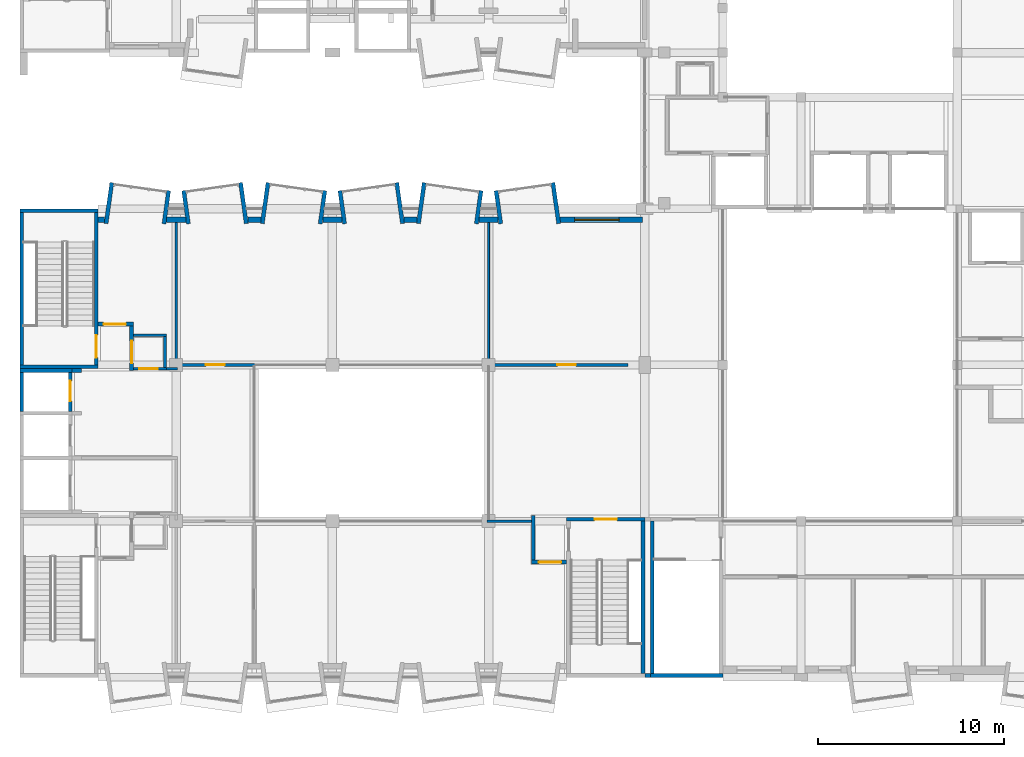
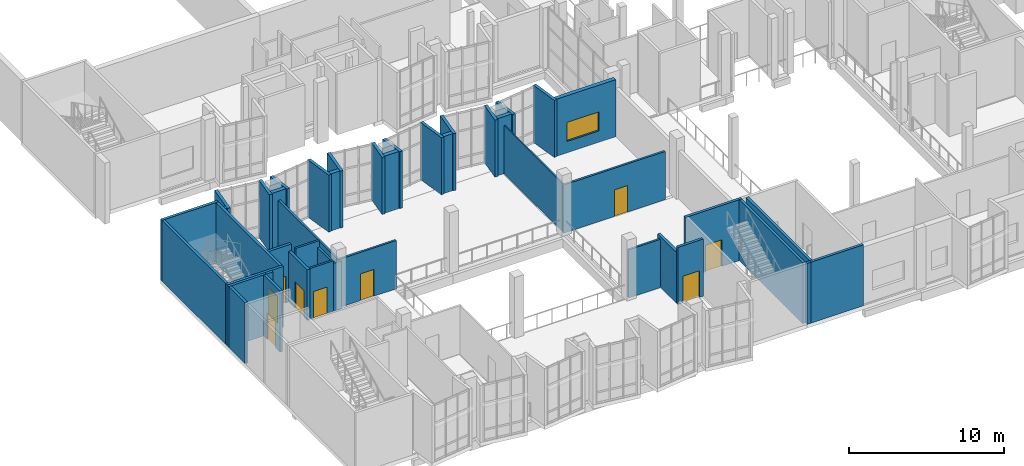
# One storey, part 65 of 100: 45 walls, 9 doors, 1 window, 10 openings.
"""IFC4 building model written with IfcOpenShell, lengths in metres."""

from ifc_helpers import new_model, si_unit, direction, frame, frame_2d, origin, place, context, subcontext, project, spatial, rectangle, extrude, material, layer, layer_set, type_object, element, fill, save


model = new_model("IFC4")

# Units and contexts
model_context = context("Model", 3, precision=1e-05, world=origin(), true_north=direction((0.0, 1.0)))
body_context = subcontext(model_context, "Body", "Model", "MODEL_VIEW")
ifc_project = project(units=[si_unit("LENGTHUNIT", "METRE"), si_unit("AREAUNIT", "SQUARE_METRE"), si_unit("VOLUMEUNIT", "CUBIC_METRE"), si_unit("PLANEANGLEUNIT", "RADIAN"), si_unit("MASSUNIT", "GRAM", prefix="KILO")], contexts=[model_context])

# Site, building, storey
site_placement = place(None, origin())
site = spatial("IfcSite", under=ifc_project, at=site_placement, CompositionType="ELEMENT")
building_placement = place(site_placement, origin())
building = spatial("IfcBuilding", under=site, at=building_placement, Name="Kiln Court Media Centre", CompositionType="ELEMENT")
storey_placement = place(building_placement, frame((0.0, 0.0, 15.0)))
storey = spatial("IfcBuildingStorey", under=building, at=storey_placement, Name="L03", CompositionType="ELEMENT", Elevation=15.0)

# Walls
ifc_material_1 = material(Name="Concrete block masonry M10", Category="masonry")
ifc_layer_1 = layer(ifc_material_1, 0.14990234375)
ifc_layer_set_1 = layer_set([ifc_layer_1], Name="Block riser wall 150 EI 120")
wall_type_1 = type_object("IfcWallType", Name="Block riser wall 150 EI 120", PredefinedType="SOLIDWALL", material=ifc_layer_set_1)
wall_1_placement = place(storey_placement, frame((7.875, 16.60009765625, 0.0), z_axis=(0.0, 0.0, 1.0), x_axis=(1.0, 0.0, 0.0)))
element("IfcWall", 1, at=wall_1_placement, inside=storey, type_object=wall_type_1, Name="L03 block riser wall", PredefinedType="SOLIDWALL", context=body_context, shape_type="SweptSolid", body=[
    extrude(rectangle(XDim=0.60009765625, YDim=0.14990234375, at=frame_2d((0.300048828125, 0.0))), origin(), (0.0, 0.0, 1.0), 3.800048828125),
])
wall_2_placement = place(storey_placement, frame((6.10009765625, 18.39990234375, 0.0), z_axis=(0.0, 0.0, 1.0), x_axis=(1.0, 0.0, 0.0)))
element("IfcWall", 2, at=wall_2_placement, inside=storey, type_object=wall_type_1, Name="L03 block riser wall", PredefinedType="SOLIDWALL", context=body_context, shape_type="SweptSolid", body=[
    extrude(rectangle(XDim=1.77490234375, YDim=0.14990234375, at=frame_2d((0.887451171875, 0.0))), origin(), (0.0, 0.0, 1.0), 4.5),
])
wall_3_placement = place(storey_placement, frame((7.800048828125, 16.675048828125, 0.0), z_axis=(0.0, 0.0, 1.0), x_axis=(0.0, 1.0, 0.0)))
element("IfcWall", 3, at=wall_3_placement, inside=storey, type_object=wall_type_1, Name="L03 block riser wall", PredefinedType="SOLIDWALL", context=body_context, shape_type="SweptSolid", body=[
    extrude(rectangle(XDim=1.64990234375, YDim=0.14990234375, at=frame_2d((0.824951171875, 0.0))), origin(), (0.0, 0.0, 1.0), 4.0),
])
wall_4_placement = place(storey_placement, frame((8.39990234375, 16.875, 0.0), z_axis=(0.0, 0.0, 1.0), x_axis=(0.0, 1.0, 0.0)))
element("IfcWall", 4, at=wall_4_placement, inside=storey, type_object=wall_type_1, Name="L03 block riser wall", PredefinedType="SOLIDWALL", context=body_context, shape_type="SweptSolid", body=[
    extrude(rectangle(XDim=7.574951171875, YDim=0.14990234375, at=frame_2d((3.78759765625, 0.0))), origin(), (0.0, 0.0, 1.0), 3.800048828125),
])

# Wall, opening, door
ifc_material_2 = material(Name="Concrete block masonry M10", Category="masonry")
ifc_layer_2 = layer(ifc_material_2, 0.199951171875)
ifc_layer_set_2 = layer_set([ifc_layer_2], Name="Block vestibule wall 200 EI 240")
wall_type_2 = type_object("IfcWallType", Name="Block vestibule wall 200 EI 240", PredefinedType="SOLIDWALL", material=ifc_layer_set_2)
wall_5_placement = place(storey_placement, frame((27.5, 6.199951171875, 0.0), z_axis=(0.0, 0.0, 1.0), x_axis=(1.0, 0.0, 0.0)))
wall_5 = element("IfcWall", 5, at=wall_5_placement, inside=storey, type_object=wall_type_2, Name="L03 block vestibule wall", PredefinedType="SOLIDWALL", context=body_context, shape_type="SweptSolid", body=[
    extrude(rectangle(XDim=1.89990234375, YDim=0.199951171875, at=frame_2d((0.949951171875, 0.0))), origin(), (0.0, 0.0, 1.0), 4.5),
])
opening_1_placement = place(wall_5_placement, frame((0.39990234375, 0.0, 0.0)))
opening_1 = element("IfcOpeningElement", 6, at=opening_1_placement, cuts=wall_5, Name="Opening D3023", PredefinedType="OPENING", context=body_context, shape_type="SweptSolid", body=[
    extrude(rectangle(XDim=1.199951171875, YDim=2.10009765625, at=frame_2d((0.60009765625, 1.050048828125))), frame((0.0, 0.10986328125, 0.0), z_axis=(0.0, -1.0, 0.0), x_axis=(1.0, 0.0, 0.0)), (0.0, 0.0, 1.0), 0.219970703125),
])
ifc_material_3 = material(Name="Steel S275", Category="steel")
door_type_1 = type_object("IfcDoorType", Name="Steel vestibule door 1200 x 2100 FD180", OperationType="SINGLE_SWING_LEFT", PredefinedType="DOOR", material=ifc_material_3)
door_1_placement = place(opening_1_placement, origin())
door_1 = element("IfcDoor", 7, at=door_1_placement, inside=storey, type_object=door_type_1, Name="Social Sciences Reading Room / Stair 3 Vestibule", OperationType="SINGLE_SWING_RIGHT", OverallHeight=2.10009765625, OverallWidth=1.199951171875, PredefinedType="DOOR", context=body_context, shape_type="SweptSolid", body=[
    extrude(rectangle(XDim=1.199951171875, YDim=2.10009765625, at=frame_2d((0.60009765625, 1.050048828125))), frame((0.0, 0.02490234375, 0.0), z_axis=(0.0, -1.0, 0.0), x_axis=(1.0, 0.0, 0.0)), (0.0, 0.0, 1.0), 0.050048828125),
])
fill(opening_1, door_1)

wall_6_placement = place(storey_placement, frame((4.2001953125, 19.0, 0.0), z_axis=(0.0, 0.0, 1.0), x_axis=(1.0, 0.0, 0.0)))
wall_6 = element("IfcWall", 8, at=wall_6_placement, inside=storey, type_object=wall_type_2, Name="L03 block vestibule wall", PredefinedType="SOLIDWALL", context=body_context, shape_type="SweptSolid", body=[
    extrude(rectangle(XDim=1.89990234375, YDim=0.199951171875, at=frame_2d((0.949951171875, 0.0))), origin(), (0.0, 0.0, 1.0), 4.5),
])
opening_2_placement = place(wall_6_placement, frame((0.2998046875, 0.0, 0.0)))
opening_2 = element("IfcOpeningElement", 9, at=opening_2_placement, cuts=wall_6, Name="Opening D3027", PredefinedType="OPENING", context=body_context, shape_type="SweptSolid", body=[
    extrude(rectangle(XDim=1.199951171875, YDim=2.10009765625, at=frame_2d((0.60009765625, 1.050048828125))), frame((0.0, 0.10986328125, 0.0), z_axis=(0.0, -1.0, 0.0), x_axis=(1.0, 0.0, 0.0)), (0.0, 0.0, 1.0), 0.219970703125),
])
door_2_placement = place(opening_2_placement, origin())
door_2 = element("IfcDoor", 10, at=door_2_placement, inside=storey, type_object=door_type_1, Name="Cleaners' Store and Riser / Stair 2 Vestibule", OperationType="SINGLE_SWING_LEFT", OverallHeight=2.10009765625, OverallWidth=1.199951171875, PredefinedType="DOOR", context=body_context, shape_type="SweptSolid", body=[
    extrude(rectangle(XDim=1.199951171875, YDim=2.10009765625, at=frame_2d((0.60009765625, 1.050048828125))), frame((0.0, 0.02490234375, 0.0), z_axis=(0.0, -1.0, 0.0), x_axis=(1.0, 0.0, 0.0)), (0.0, 0.0, 1.0), 0.050048828125),
])
fill(opening_2, door_2)

wall_7_placement = place(storey_placement, frame((6.0, 16.5, 0.0), z_axis=(0.0, 0.0, 1.0), x_axis=(0.0, 1.0, 0.0)))
wall_7 = element("IfcWall", 11, at=wall_7_placement, inside=storey, type_object=wall_type_2, Name="L03 block vestibule wall", PredefinedType="SOLIDWALL", context=body_context, shape_type="SweptSolid", body=[
    extrude(rectangle(XDim=2.39990234375, YDim=0.199951171875, at=frame_2d((1.199951171875, 0.0))), origin(), (0.0, 0.0, 1.0), 4.0),
])
opening_3_placement = place(wall_7_placement, frame((0.39990234375, 0.0, 0.0)))
opening_3 = element("IfcOpeningElement", 12, at=opening_3_placement, cuts=wall_7, Name="Opening D3028", PredefinedType="OPENING", context=body_context, shape_type="SweptSolid", body=[
    extrude(rectangle(XDim=1.199951171875, YDim=2.10009765625, at=frame_2d((0.60009765625, 1.050048828125))), frame((0.0, 0.10986328125, 0.0), z_axis=(0.0, -1.0, 0.0), x_axis=(1.0, 0.0, 0.0)), (0.0, 0.0, 1.0), 0.219970703125),
])
door_3_placement = place(opening_3_placement, origin())
door_3 = element("IfcDoor", 13, at=door_3_placement, inside=storey, type_object=door_type_1, Name="Stair 2 Vestibule / Wheelchair Refuge", OperationType="SINGLE_SWING_RIGHT", OverallHeight=2.10009765625, OverallWidth=1.199951171875, PredefinedType="DOOR", context=body_context, shape_type="SweptSolid", body=[
    extrude(rectangle(XDim=1.199951171875, YDim=2.10009765625, at=frame_2d((0.60009765625, 1.050048828125))), frame((0.0, 0.02490234375, 0.0), z_axis=(0.0, -1.0, 0.0), x_axis=(1.0, 0.0, 0.0)), (0.0, 0.0, 1.0), 0.050048828125),
])
fill(opening_3, door_3)

# Walls
wall_8_placement = place(storey_placement, frame((27.60009765625, 6.300048828125, 0.0), z_axis=(0.0, 0.0, 1.0), x_axis=(0.0, 1.0, 0.0)))
element("IfcWall", 14, at=wall_8_placement, inside=storey, type_object=wall_type_2, Name="L03 block vestibule wall", PredefinedType="SOLIDWALL", context=body_context, shape_type="SweptSolid", body=[
    extrude(rectangle(XDim=2.39990234375, YDim=0.199951171875, at=frame_2d((1.199951171875, 0.0))), origin(), (0.0, 0.0, 1.0), 4.0),
])
ifc_material_4 = material(Name="Brick masonry facing leaf with RC backing", Category="masonry")
ifc_layer_3 = layer(ifc_material_4, 0.215087890625)
ifc_layer_set_3 = layer_set([ifc_layer_3], Name="Brick masonry bay cheek wall 215")
wall_type_3 = type_object("IfcWallType", Name="Brick masonry bay cheek wall 215", PredefinedType="SOLIDWALL", material=ifc_layer_set_3)
wall_9_placement = place(storey_placement, frame((4.630615234375, 24.405029296875, 0.0), z_axis=(0.0, 0.0, 1.0), x_axis=(0.139141913905, 0.990272451295, 0.0)))
element("IfcWall", 15, at=wall_9_placement, inside=storey, type_object=wall_type_3, Name="BAY V6A-N-L03-16 cheek L", PredefinedType="SOLIDWALL", context=body_context, shape_type="SweptSolid", body=[
    extrude(rectangle(XDim=2.219482421875, YDim=0.215087890625, at=frame_2d((1.10986328125, 0.0))), origin(), (0.0, 0.0, 1.0), 4.5),
])
for number, where, z_axis, x_axis, name in (
    (16, (7.743896484375, 24.39111328125, 0.0), (0.0, 0.0, 1.0), (0.139161311926, 0.990269725511, 0.0), "BAY V6A-N-L03-16 cheek R"),
    (17, (9.055908203125, 24.39111328125, 0.0), (0.0, 0.0, 1.0), (-0.139161311926, 0.990269725511, 0.0), "BAY V6A-N-L03-17 cheek L"),
):
    element("IfcWall", number, at=place(storey_placement, frame(where, z_axis=z_axis, x_axis=x_axis)), inside=storey, type_object=wall_type_3, Name=name, PredefinedType="SOLIDWALL", context=body_context, shape_type="SweptSolid", body=[
        extrude(rectangle(XDim=1.800048828125, YDim=0.215087890625, at=frame_2d((0.89990234375, 0.0))), origin(), (0.0, 0.0, 1.0), 4.5),
    ])
wall_10_placement = place(storey_placement, frame((12.16943359375, 24.405029296875, 0.0), z_axis=(0.0, 0.0, 1.0), x_axis=(-0.139141913905, 0.990272451295, 0.0)))
element("IfcWall", 18, at=wall_10_placement, inside=storey, type_object=wall_type_3, Name="BAY V6A-N-L03-17 cheek R", PredefinedType="SOLIDWALL", context=body_context, shape_type="SweptSolid", body=[
    extrude(rectangle(XDim=2.219482421875, YDim=0.215087890625, at=frame_2d((1.10986328125, 0.0))), origin(), (0.0, 0.0, 1.0), 4.5),
])
wall_11_placement = place(storey_placement, frame((13.030517578125, 24.405029296875, 0.0), z_axis=(0.0, 0.0, 1.0), x_axis=(0.139249775508, 0.99025728981, 0.0)))
element("IfcWall", 19, at=wall_11_placement, inside=storey, type_object=wall_type_3, Name="BAY V6A-N-L03-18 cheek L", PredefinedType="SOLIDWALL", context=body_context, shape_type="SweptSolid", body=[
    extrude(rectangle(XDim=2.2197265625, YDim=0.215087890625, at=frame_2d((1.10986328125, 0.0))), origin(), (0.0, 0.0, 1.0), 4.5),
])
for number, where, z_axis, x_axis, name in (
    (20, (16.14404296875, 24.39111328125, 0.0), (0.0, 0.0, 1.0), (0.139161311926, 0.990269725511, 0.0), "BAY V6A-N-L03-18 cheek R"),
    (21, (17.4560546875, 24.39111328125, 0.0), (0.0, 0.0, 1.0), (-0.139161311926, 0.990269725511, 0.0), "BAY V6A-N-L03-19 cheek L"),
):
    element("IfcWall", number, at=place(storey_placement, frame(where, z_axis=z_axis, x_axis=x_axis)), inside=storey, type_object=wall_type_3, Name=name, PredefinedType="SOLIDWALL", context=body_context, shape_type="SweptSolid", body=[
        extrude(rectangle(XDim=1.800048828125, YDim=0.215087890625, at=frame_2d((0.89990234375, 0.0))), origin(), (0.0, 0.0, 1.0), 4.5),
    ])
for number, where, z_axis, x_axis, name in (
    (22, (20.5693359375, 24.405029296875, 0.0), (0.0, 0.0, 1.0), (-0.139141913905, 0.990272451295, 0.0), "BAY V6A-N-L03-19 cheek R"),
    (23, (21.4306640625, 24.405029296875, 0.0), (0.0, 0.0, 1.0), (0.139141913905, 0.990272451295, 0.0), "BAY V6A-N-L03-20 cheek L"),
):
    element("IfcWall", number, at=place(storey_placement, frame(where, z_axis=z_axis, x_axis=x_axis)), inside=storey, type_object=wall_type_3, Name=name, PredefinedType="SOLIDWALL", context=body_context, shape_type="SweptSolid", body=[
        extrude(rectangle(XDim=2.219482421875, YDim=0.215087890625, at=frame_2d((1.10986328125, 0.0))), origin(), (0.0, 0.0, 1.0), 4.5),
    ])
for number, where, z_axis, x_axis, name in (
    (24, (24.5439453125, 24.39111328125, 0.0), (0.0, 0.0, 1.0), (0.139161311926, 0.990269725511, 0.0), "BAY V6A-N-L03-20 cheek R"),
    (25, (25.85595703125, 24.39111328125, 0.0), (0.0, 0.0, 1.0), (-0.139161311926, 0.990269725511, 0.0), "BAY V6A-N-L03-21 cheek L"),
):
    element("IfcWall", number, at=place(storey_placement, frame(where, z_axis=z_axis, x_axis=x_axis)), inside=storey, type_object=wall_type_3, Name=name, PredefinedType="SOLIDWALL", context=body_context, shape_type="SweptSolid", body=[
        extrude(rectangle(XDim=1.800048828125, YDim=0.215087890625, at=frame_2d((0.89990234375, 0.0))), origin(), (0.0, 0.0, 1.0), 4.5),
    ])
wall_12_placement = place(storey_placement, frame((28.969482421875, 24.405029296875, 0.0), z_axis=(0.0, 0.0, 1.0), x_axis=(-0.139249775508, 0.99025728981, 0.0)))
element("IfcWall", 26, at=wall_12_placement, inside=storey, type_object=wall_type_3, Name="BAY V6A-N-L03-21 cheek R", PredefinedType="SOLIDWALL", context=body_context, shape_type="SweptSolid", body=[
    extrude(rectangle(XDim=2.2197265625, YDim=0.215087890625, at=frame_2d((1.10986328125, 0.0))), origin(), (0.0, 0.0, 1.0), 4.5),
])
ifc_material_5 = material(Name="Brick masonry facing leaf with RC backing", Category="masonry")
ifc_layer_4 = layer(ifc_material_5, 0.300048828125)
ifc_layer_set_4 = layer_set([ifc_layer_4], Name="Brick masonry cavity wall 300")
wall_type_4 = type_object("IfcWallType", Name="Brick masonry cavity wall 300", PredefinedType="SOLIDWALL", material=ifc_layer_set_4)
wall_13_placement = place(storey_placement, frame((4.2001953125, 24.60009765625, 0.0), z_axis=(0.0, 0.0, 1.0), x_axis=(1.0, 0.0, 0.0)))
element("IfcWall", 27, at=wall_13_placement, inside=storey, type_object=wall_type_4, Name="V6A-N facade L03 3018", PredefinedType="SOLIDWALL", context=body_context, shape_type="SweptSolid", body=[
    extrude(rectangle(XDim=0.349365234375, YDim=0.300048828125, at=frame_2d((0.1748046875, 0.0))), origin(), (0.0, 0.0, 1.0), 4.5),
])
wall_14_placement = place(storey_placement, frame((7.8818359375, 24.60009765625, 0.0), z_axis=(0.0, 0.0, 1.0), x_axis=(1.0, 0.0, 0.0)))
element("IfcWall", 28, at=wall_14_placement, inside=storey, type_object=wall_type_4, Name="V6A-N facade L03 3019", PredefinedType="SOLIDWALL", context=body_context, shape_type="SweptSolid", body=[
    extrude(rectangle(XDim=1.036376953125, YDim=0.300048828125, at=frame_2d((0.51806640625, 0.0))), origin(), (0.0, 0.0, 1.0), 4.5),
])
wall_15_placement = place(storey_placement, frame((12.25048828125, 24.60009765625, 0.0), z_axis=(0.0, 0.0, 1.0), x_axis=(1.0, 0.0, 0.0)))
element("IfcWall", 29, at=wall_15_placement, inside=storey, type_object=wall_type_4, Name="V6A-N facade L03 3020", PredefinedType="SOLIDWALL", context=body_context, shape_type="SweptSolid", body=[
    extrude(rectangle(XDim=0.698974609375, YDim=0.300048828125, at=frame_2d((0.349609375, 0.0))), origin(), (0.0, 0.0, 1.0), 4.5),
])
wall_16_placement = place(storey_placement, frame((16.281982421875, 24.60009765625, 0.0), z_axis=(0.0, 0.0, 1.0), x_axis=(1.0, 0.0, 0.0)))
element("IfcWall", 30, at=wall_16_placement, inside=storey, type_object=wall_type_4, Name="V6A-N facade L03 3021", PredefinedType="SOLIDWALL", context=body_context, shape_type="SweptSolid", body=[
    extrude(rectangle(XDim=1.0361328125, YDim=0.300048828125, at=frame_2d((0.51806640625, 0.0))), origin(), (0.0, 0.0, 1.0), 4.5),
])
wall_17_placement = place(storey_placement, frame((20.650390625, 24.60009765625, 0.0), z_axis=(0.0, 0.0, 1.0), x_axis=(1.0, 0.0, 0.0)))
element("IfcWall", 31, at=wall_17_placement, inside=storey, type_object=wall_type_4, Name="V6A-N facade L03 3022", PredefinedType="SOLIDWALL", context=body_context, shape_type="SweptSolid", body=[
    extrude(rectangle(XDim=0.69921875, YDim=0.300048828125, at=frame_2d((0.349609375, 0.0))), origin(), (0.0, 0.0, 1.0), 4.5),
])
wall_18_placement = place(storey_placement, frame((24.681884765625, 24.60009765625, 0.0), z_axis=(0.0, 0.0, 1.0), x_axis=(1.0, 0.0, 0.0)))
element("IfcWall", 32, at=wall_18_placement, inside=storey, type_object=wall_type_4, Name="V6A-N facade L03 3023", PredefinedType="SOLIDWALL", context=body_context, shape_type="SweptSolid", body=[
    extrude(rectangle(XDim=1.0361328125, YDim=0.300048828125, at=frame_2d((0.51806640625, 0.0))), origin(), (0.0, 0.0, 1.0), 4.5),
])

# Wall, opening, window
wall_19_placement = place(storey_placement, frame((29.050537109375, 24.60009765625, 0.0), z_axis=(0.0, 0.0, 1.0), x_axis=(1.0, 0.0, 0.0)))
wall_19 = element("IfcWall", 33, at=wall_19_placement, inside=storey, type_object=wall_type_4, Name="V6A-N facade L03 3024", PredefinedType="SOLIDWALL", context=body_context, shape_type="SweptSolid", body=[
    extrude(rectangle(XDim=4.424560546875, YDim=0.300048828125, at=frame_2d((2.21240234375, 0.0))), origin(), (0.0, 0.0, 1.0), 4.5),
])
opening_4_placement = place(wall_19_placement, frame((0.77490234375, 0.0, 0.89990234375)))
opening_4 = element("IfcOpeningElement", 34, at=opening_4_placement, cuts=wall_19, Name="Opening WN3001", PredefinedType="OPENING", context=body_context, shape_type="SweptSolid", body=[
    extrude(rectangle(XDim=2.39990234375, YDim=1.5, at=frame_2d((1.199951171875, 0.75))), frame((0.0, 0.159912109375, 0.0), z_axis=(0.0, -1.0, 0.0), x_axis=(1.0, 0.0, 0.0)), (0.0, 0.0, 1.0), 0.320068359375),
])
ifc_material_6 = material(Name="Aluminium 6063-T6", Category="aluminium")
window_type = type_object("IfcWindowType", Name="Aluminium window 2400x1500", PartitioningType="TRIPLE_PANEL_VERTICAL", PredefinedType="WINDOW", material=ifc_material_6)
window_placement = place(opening_4_placement, origin())
window = element("IfcWindow", 35, at=window_placement, inside=storey, type_object=window_type, Name="WC window WN3001", OverallHeight=1.5, OverallWidth=2.39990234375, PartitioningType="SINGLE_PANEL", PredefinedType="WINDOW", context=body_context, shape_type="SweptSolid", body=[
    extrude(rectangle(XDim=2.39990234375, YDim=1.5, at=frame_2d((1.199951171875, 0.75))), frame((0.0, 0.030029296875, 0.0), z_axis=(0.0, -1.0, 0.0), x_axis=(1.0, 0.0, 0.0)), (0.0, 0.0, 1.0), 0.06005859375),
])
fill(opening_4, window)

# Walls
ifc_material_7 = material(Name="Concrete C40/50", Category="concrete")
ifc_layer_5 = layer(ifc_material_7, 0.199951171875)
ifc_layer_set_5 = layer_set([ifc_layer_5], Name="Concrete C40/50 shear wall 200")
wall_type_5 = type_object("IfcWallType", Name="Concrete C40/50 shear wall 200", PredefinedType="SHEAR", material=ifc_layer_set_5)
for number, where, z_axis, x_axis, name in (
    (36, (4.199951171875, 16.699951171875, 0.0), (0.0, 0.0, 1.0), (-1.0, 0.0, 0.0), "L03-W-1004"),
    (37, (0.00048828125, 25.10009765625, 0.0), (0.0, 0.0, 1.0), (1.0, 0.0, 0.0), "L03-W-1005"),
):
    element("IfcWall", number, at=place(storey_placement, frame(where, z_axis=z_axis, x_axis=x_axis)), inside=storey, type_object=wall_type_5, Name=name, PredefinedType="SHEAR", context=body_context, shape_type="SweptSolid", body=[
        extrude(rectangle(XDim=4.199462890625, YDim=0.199951171875, at=frame_2d((2.099609375, 0.0))), origin(), (0.0, 0.0, 1.0), 4.800048828125),
    ])
wall_20_placement = place(storey_placement, frame((0.100341796875, 16.800048828125, 0.0), z_axis=(0.0, 0.0, 1.0), x_axis=(0.0, 1.0, 0.0)))
element("IfcWall", 38, at=wall_20_placement, inside=storey, type_object=wall_type_5, Name="L03-W-1006", PredefinedType="SHEAR", context=body_context, shape_type="SweptSolid", body=[
    extrude(rectangle(XDim=8.199951171875, YDim=0.199951171875, at=frame_2d((4.10009765625, 0.0))), origin(), (0.0, 0.0, 1.0), 4.800048828125),
])

# Wall, opening, door
wall_21_placement = place(storey_placement, frame((4.10009765625, 25.0, 0.0), z_axis=(0.0, 0.0, 1.0), x_axis=(0.0, -1.0, 0.0)))
wall_21 = element("IfcWall", 39, at=wall_21_placement, inside=storey, type_object=wall_type_5, Name="L03-W-1007", PredefinedType="SHEAR", context=body_context, shape_type="SweptSolid", body=[
    extrude(rectangle(XDim=8.199951171875, YDim=0.199951171875, at=frame_2d((4.10009765625, 0.0))), origin(), (0.0, 0.0, 1.0), 4.800048828125),
])
opening_5_placement = place(wall_21_placement, frame((6.60009765625, 0.0, 0.0)))
opening_5 = element("IfcOpeningElement", 40, at=opening_5_placement, cuts=wall_21, Name="Opening D3009", PredefinedType="OPENING", context=body_context, shape_type="SweptSolid", body=[
    extrude(rectangle(XDim=1.199951171875, YDim=2.10009765625, at=frame_2d((0.60009765625, 1.050048828125))), frame((0.0, 0.10986328125, 0.0), z_axis=(0.0, -1.0, 0.0), x_axis=(1.0, 0.0, 0.0)), (0.0, 0.0, 1.0), 0.219970703125),
])
ifc_material_8 = material(Name="Steel S275", Category="steel")
door_type_2 = type_object("IfcDoorType", Name="Steel stair door 1200 x 2100 FD180", OperationType="SINGLE_SWING_LEFT", PredefinedType="DOOR", material=ifc_material_8)
door_4_placement = place(opening_5_placement, origin())
door_4 = element("IfcDoor", 41, at=door_4_placement, inside=storey, type_object=door_type_2, Name="Stair 2 / Stair 2 Vestibule", OperationType="SINGLE_SWING_RIGHT", OverallHeight=2.10009765625, OverallWidth=1.199951171875, PredefinedType="DOOR", context=body_context, shape_type="SweptSolid", body=[
    extrude(rectangle(XDim=1.199951171875, YDim=2.10009765625, at=frame_2d((0.60009765625, 1.050048828125))), frame((0.0, 0.02490234375, 0.0), z_axis=(0.0, -1.0, 0.0), x_axis=(1.0, 0.0, 0.0)), (0.0, 0.0, 1.0), 0.050048828125),
])
fill(opening_5, door_4)

wall_22_placement = place(storey_placement, frame((29.39990234375, 8.5, 0.0), z_axis=(0.0, 0.0, 1.0), x_axis=(1.0, 0.0, 0.0)))
wall_22 = element("IfcWall", 42, at=wall_22_placement, inside=storey, type_object=wall_type_5, Name="L03-W-1009", PredefinedType="SHEAR", context=body_context, shape_type="SweptSolid", body=[
    extrude(rectangle(XDim=4.2001953125, YDim=0.199951171875, at=frame_2d((2.10009765625, 0.0))), origin(), (0.0, 0.0, 1.0), 4.800048828125),
])
opening_6_placement = place(wall_22_placement, frame((1.5, 0.0, 0.0)))
opening_6 = element("IfcOpeningElement", 43, at=opening_6_placement, cuts=wall_22, Name="Opening D3008", PredefinedType="OPENING", context=body_context, shape_type="SweptSolid", body=[
    extrude(rectangle(XDim=1.199951171875, YDim=2.10009765625, at=frame_2d((0.60009765625, 1.050048828125))), frame((0.0, 0.10986328125, 0.0), z_axis=(0.0, -1.0, 0.0), x_axis=(1.0, 0.0, 0.0)), (0.0, 0.0, 1.0), 0.219970703125),
])
door_5_placement = place(opening_6_placement, origin())
door_5 = element("IfcDoor", 44, at=door_5_placement, inside=storey, type_object=door_type_2, Name="Stair 3 / East Lobby", OperationType="SINGLE_SWING_RIGHT", OverallHeight=2.10009765625, OverallWidth=1.199951171875, PredefinedType="DOOR", context=body_context, shape_type="SweptSolid", body=[
    extrude(rectangle(XDim=1.199951171875, YDim=2.10009765625, at=frame_2d((0.60009765625, 1.050048828125))), frame((0.0, 0.02490234375, 0.0), z_axis=(0.0, -1.0, 0.0), x_axis=(1.0, 0.0, 0.0)), (0.0, 0.0, 1.0), 0.050048828125),
])
fill(opening_6, door_5)

# Walls
wall_23_placement = place(storey_placement, frame((33.5, 8.39990234375, 0.0), z_axis=(0.0, 0.0, 1.0), x_axis=(0.0, -1.0, 0.0)))
element("IfcWall", 45, at=wall_23_placement, inside=storey, type_object=wall_type_5, Name="L03-W-1011", PredefinedType="SHEAR", context=body_context, shape_type="SweptSolid", body=[
    extrude(rectangle(XDim=8.199951171875, YDim=0.199951171875, at=frame_2d((4.10009765625, 0.0))), origin(), (0.0, 0.0, 1.0), 4.800048828125),
])
wall_24_placement = place(storey_placement, frame((37.800048828125, 0.10009765625, 0.0), z_axis=(0.0, 0.0, 1.0), x_axis=(-1.0, 0.0, 0.0)))
element("IfcWall", 46, at=wall_24_placement, inside=storey, type_object=wall_type_5, Name="L03-W-1012", PredefinedType="SHEAR", context=body_context, shape_type="SweptSolid", body=[
    extrude(rectangle(XDim=3.900146484375, YDim=0.199951171875, at=frame_2d((1.9501953125, 0.0))), origin(), (0.0, 0.0, 1.0), 4.800048828125),
])
wall_25_placement = place(storey_placement, frame((34.0, 0.199951171875, 0.0), z_axis=(0.0, 0.0, 1.0), x_axis=(0.0, 1.0, 0.0)))
element("IfcWall", 47, at=wall_25_placement, inside=storey, type_object=wall_type_5, Name="L03-W-1014", PredefinedType="SHEAR", context=body_context, shape_type="SweptSolid", body=[
    extrude(rectangle(XDim=8.199951171875, YDim=0.199951171875, at=frame_2d((4.10009765625, 0.0))), origin(), (0.0, 0.0, 1.0), 4.800048828125),
])
wall_26_placement = place(storey_placement, frame((0.00048828125, 16.5, 0.0), z_axis=(0.0, 0.0, 1.0), x_axis=(1.0, 0.0, 0.0)))
element("IfcWall", 48, at=wall_26_placement, inside=storey, type_object=wall_type_5, Name="L03-W-1047", PredefinedType="SHEAR", context=body_context, shape_type="SweptSolid", body=[
    extrude(rectangle(XDim=2.799560546875, YDim=0.199951171875, at=frame_2d((1.39990234375, 0.0))), origin(), (0.0, 0.0, 1.0), 4.800048828125),
])
wall_27_placement = place(storey_placement, frame((0.100341796875, 14.300048828125, 0.0), z_axis=(0.0, 0.0, 1.0), x_axis=(0.0, 1.0, 0.0)))
element("IfcWall", 49, at=wall_27_placement, inside=storey, type_object=wall_type_5, Name="L03-W-1048", PredefinedType="SHEAR", context=body_context, shape_type="SweptSolid", body=[
    extrude(rectangle(XDim=2.099853515625, YDim=0.199951171875, at=frame_2d((1.0498046875, 0.0))), origin(), (0.0, 0.0, 1.0), 4.800048828125),
])

# Wall, opening, door
wall_28_placement = place(storey_placement, frame((2.699951171875, 16.39990234375, 0.0), z_axis=(0.0, 0.0, 1.0), x_axis=(0.0, -1.0, 0.0)))
wall_28 = element("IfcWall", 50, at=wall_28_placement, inside=storey, type_object=wall_type_5, Name="L03-W-1049", PredefinedType="SHEAR", context=body_context, shape_type="SweptSolid", body=[
    extrude(rectangle(XDim=2.099853515625, YDim=0.199951171875, at=frame_2d((1.0498046875, 0.0))), origin(), (0.0, 0.0, 1.0), 4.800048828125),
])
opening_7_placement = place(wall_28_placement, frame((0.449951171875, 0.0, 0.0)))
opening_7 = element("IfcOpeningElement", 51, at=opening_7_placement, cuts=wall_28, Name="Opening LD303", PredefinedType="OPENING", context=body_context, shape_type="SweptSolid", body=[
    extrude(rectangle(XDim=1.10009765625, YDim=2.10009765625, at=frame_2d((0.550048828125, 1.050048828125))), frame((0.0, 0.10986328125, 0.0), z_axis=(0.0, -1.0, 0.0), x_axis=(1.0, 0.0, 0.0)), (0.0, 0.0, 1.0), 0.219970703125),
])
ifc_material_9 = material(Name="Stainless steel", Category="steel")
door_type_3 = type_object("IfcDoorType", Name="Lift landing door 1100 x 2100 FD120", OperationType="SLIDING_TO_LEFT", PredefinedType="DOOR", material=ifc_material_9)
door_6_placement = place(opening_7_placement, origin())
door_6 = element("IfcDoor", 52, at=door_6_placement, inside=storey, type_object=door_type_3, Name="LF-03 landing door L03", OperationType="SLIDING_TO_LEFT", OverallHeight=2.10009765625, OverallWidth=1.10009765625, PredefinedType="DOOR", context=body_context, shape_type="SweptSolid", body=[
    extrude(rectangle(XDim=1.10009765625, YDim=2.10009765625, at=frame_2d((0.550048828125, 1.050048828125))), frame((0.0, 0.02490234375, 0.0), z_axis=(0.0, -1.0, 0.0), x_axis=(1.0, 0.0, 0.0)), (0.0, 0.0, 1.0), 0.050048828125),
])
fill(opening_7, door_6)

# Walls
wall_29_placement = place(storey_placement, frame((33.89990234375, 0.10009765625, 0.0), z_axis=(0.0, 0.0, 1.0), x_axis=(-1.0, 0.0, 0.0)))
element("IfcWall", 53, at=wall_29_placement, inside=storey, type_object=wall_type_5, Name="L03-W-1091", PredefinedType="SHEAR", context=body_context, shape_type="SweptSolid", body=[
    extrude(rectangle(XDim=0.2998046875, YDim=0.199951171875, at=frame_2d((0.14990234375, 0.0))), origin(), (0.0, 0.0, 1.0), 4.800048828125),
])
wall_30_placement = place(storey_placement, frame((2.800048828125, 16.5, 0.0), z_axis=(0.0, 0.0, 1.0), x_axis=(1.0, 0.0, 0.0)))
element("IfcWall", 54, at=wall_30_placement, inside=storey, type_object=wall_type_5, Name="L03-W-1096", PredefinedType="SHEAR", context=body_context, shape_type="SweptSolid", body=[
    extrude(rectangle(XDim=0.5, YDim=0.199951171875, at=frame_2d((0.25, 0.0))), origin(), (0.0, 0.0, 1.0), 4.800048828125),
])
ifc_material_10 = material(Name="Gypsum plasterboard", Category="gypsum")
ifc_layer_6 = layer(ifc_material_10, 0.14990234375)
ifc_layer_set_6 = layer_set([ifc_layer_6], Name="Gypsum corridor partition 150 EI 60")
wall_type_6 = type_object("IfcWallType", Name="Gypsum corridor partition 150 EI 60", PredefinedType="PARTITIONING", material=ifc_layer_set_6)
wall_31_placement = place(storey_placement, frame((25.125, 8.39990234375, 0.0), z_axis=(0.0, 0.0, 1.0), x_axis=(1.0, 0.0, 0.0)))
element("IfcWall", 55, at=wall_31_placement, inside=storey, type_object=wall_type_6, Name="L03 gypsum corridor partition", PredefinedType="PARTITIONING", context=body_context, shape_type="SweptSolid", body=[
    extrude(rectangle(XDim=2.375, YDim=0.14990234375, at=frame_2d((1.1875, 0.0))), origin(), (0.0, 0.0, 1.0), 3.800048828125),
])

# Wall, opening, door
wall_32_placement = place(storey_placement, frame((6.10009765625, 16.60009765625, 0.0), z_axis=(0.0, 0.0, 1.0), x_axis=(1.0, 0.0, 0.0)))
wall_32 = element("IfcWall", 56, at=wall_32_placement, inside=storey, type_object=wall_type_6, Name="L03 gypsum corridor partition", PredefinedType="PARTITIONING", context=body_context, shape_type="SweptSolid", body=[
    extrude(rectangle(XDim=1.77490234375, YDim=0.14990234375, at=frame_2d((0.887451171875, 0.0))), origin(), (0.0, 0.0, 1.0), 4.0),
])
opening_8_placement = place(wall_32_placement, frame((0.300048828125, 0.0, 0.0)))
opening_8 = element("IfcOpeningElement", 57, at=opening_8_placement, cuts=wall_32, Name="Opening D3043", PredefinedType="OPENING", context=body_context, shape_type="SweptSolid", body=[
    extrude(rectangle(XDim=1.0, YDim=2.10009765625, at=frame_2d((0.5, 1.050048828125))), frame((0.0, 0.0849609375, 0.0), z_axis=(0.0, -1.0, 0.0), x_axis=(1.0, 0.0, 0.0)), (0.0, 0.0, 1.0), 0.169921875),
])
ifc_material_11 = material(Name="Steel S275", Category="steel")
door_type_4 = type_object("IfcDoorType", Name="Steel corridor door 1000 x 2100 FD30S", OperationType="SINGLE_SWING_LEFT", PredefinedType="DOOR", material=ifc_material_11)
door_7_placement = place(opening_8_placement, origin())
door_7 = element("IfcDoor", 58, at=door_7_placement, inside=storey, type_object=door_type_4, Name="Passenger Lift Lobby / Wheelchair Refuge", OperationType="SINGLE_SWING_RIGHT", OverallHeight=2.10009765625, OverallWidth=1.0, PredefinedType="DOOR", context=body_context, shape_type="SweptSolid", body=[
    extrude(rectangle(XDim=1.0, YDim=2.10009765625, at=frame_2d((0.5, 1.050048828125))), frame((0.0, 0.02490234375, 0.0), z_axis=(0.0, -1.0, 0.0), x_axis=(1.0, 0.0, 0.0)), (0.0, 0.0, 1.0), 0.050048828125),
])
fill(opening_8, door_7)

wall_33_placement = place(storey_placement, frame((8.324951171875, 16.800048828125, 0.0), z_axis=(0.0, 0.0, 1.0), x_axis=(1.0, 0.0, 0.0)))
wall_33 = element("IfcWall", 59, at=wall_33_placement, inside=storey, type_object=wall_type_6, Name="L03 gypsum corridor partition", PredefinedType="PARTITIONING", context=body_context, shape_type="SweptSolid", body=[
    extrude(rectangle(XDim=4.35009765625, YDim=0.14990234375, at=frame_2d((2.175048828125, 0.0))), origin(), (0.0, 0.0, 1.0), 3.800048828125),
])
opening_9_placement = place(wall_33_placement, frame((1.675048828125, 0.0, 0.0)))
opening_9 = element("IfcOpeningElement", 60, at=opening_9_placement, cuts=wall_33, Name="Opening D3046", PredefinedType="OPENING", context=body_context, shape_type="SweptSolid", body=[
    extrude(rectangle(XDim=1.0, YDim=2.10009765625, at=frame_2d((0.5, 1.050048828125))), frame((0.0, 0.0849609375, 0.0), z_axis=(0.0, -1.0, 0.0), x_axis=(1.0, 0.0, 0.0)), (0.0, 0.0, 1.0), 0.169921875),
])
door_8_placement = place(opening_9_placement, origin())
door_8 = element("IfcDoor", 61, at=door_8_placement, inside=storey, type_object=door_type_4, Name="Gallery Landing / Closed Stacks", OperationType="SINGLE_SWING_RIGHT", OverallHeight=2.10009765625, OverallWidth=1.0, PredefinedType="DOOR", context=body_context, shape_type="SweptSolid", body=[
    extrude(rectangle(XDim=1.0, YDim=2.10009765625, at=frame_2d((0.5, 1.050048828125))), frame((0.0, 0.02490234375, 0.0), z_axis=(0.0, -1.0, 0.0), x_axis=(1.0, 0.0, 0.0)), (0.0, 0.0, 1.0), 0.050048828125),
])
fill(opening_9, door_8)

wall_34_placement = place(storey_placement, frame((25.125, 16.800048828125, 0.0), z_axis=(0.0, 0.0, 1.0), x_axis=(1.0, 0.0, 0.0)))
wall_34 = element("IfcWall", 62, at=wall_34_placement, inside=storey, type_object=wall_type_6, Name="L03 gypsum corridor partition", PredefinedType="PARTITIONING", context=body_context, shape_type="SweptSolid", body=[
    extrude(rectangle(XDim=7.574951171875, YDim=0.14990234375, at=frame_2d((3.78759765625, 0.0))), origin(), (0.0, 0.0, 1.0), 3.800048828125),
])
opening_10_placement = place(wall_34_placement, frame((3.77490234375, 0.0, 0.0)))
opening_10 = element("IfcOpeningElement", 63, at=opening_10_placement, cuts=wall_34, Name="Opening D3026", PredefinedType="OPENING", context=body_context, shape_type="SweptSolid", body=[
    extrude(rectangle(XDim=1.0, YDim=2.10009765625, at=frame_2d((0.5, 1.050048828125))), frame((0.0, 0.0849609375, 0.0), z_axis=(0.0, -1.0, 0.0), x_axis=(1.0, 0.0, 0.0)), (0.0, 0.0, 1.0), 0.169921875),
])
door_9_placement = place(opening_10_placement, origin())
door_9 = element("IfcDoor", 64, at=door_9_placement, inside=storey, type_object=door_type_4, Name="East Lobby / Map and Microfilm Room", OperationType="SINGLE_SWING_LEFT", OverallHeight=2.10009765625, OverallWidth=1.0, PredefinedType="DOOR", context=body_context, shape_type="SweptSolid", body=[
    extrude(rectangle(XDim=1.0, YDim=2.10009765625, at=frame_2d((0.5, 1.050048828125))), frame((0.0, 0.02490234375, 0.0), z_axis=(0.0, -1.0, 0.0), x_axis=(1.0, 0.0, 0.0)), (0.0, 0.0, 1.0), 0.050048828125),
])
fill(opening_10, door_9)

# Wall
ifc_material_12 = material(Name="Gypsum plasterboard", Category="gypsum")
ifc_layer_7 = layer(ifc_material_12, 0.10009765625)
ifc_layer_set_7 = layer_set([ifc_layer_7], Name="Gypsum stud partition 100")
wall_type_7 = type_object("IfcWallType", Name="Gypsum stud partition 100", PredefinedType="PARTITIONING", material=ifc_layer_set_7)
wall_35_placement = place(storey_placement, frame((25.199951171875, 16.875, 0.0), z_axis=(0.0, 0.0, 1.0), x_axis=(0.0, 1.0, 0.0)))
element("IfcWall", 65, at=wall_35_placement, inside=storey, type_object=wall_type_7, Name="L03 gypsum stud partition", PredefinedType="PARTITIONING", context=body_context, shape_type="SweptSolid", body=[
    extrude(rectangle(XDim=7.574951171875, YDim=0.10009765625, at=frame_2d((3.78759765625, 0.0))), origin(), (0.0, 0.0, 1.0), 3.800048828125),
])

save(model, "model.ifc")
